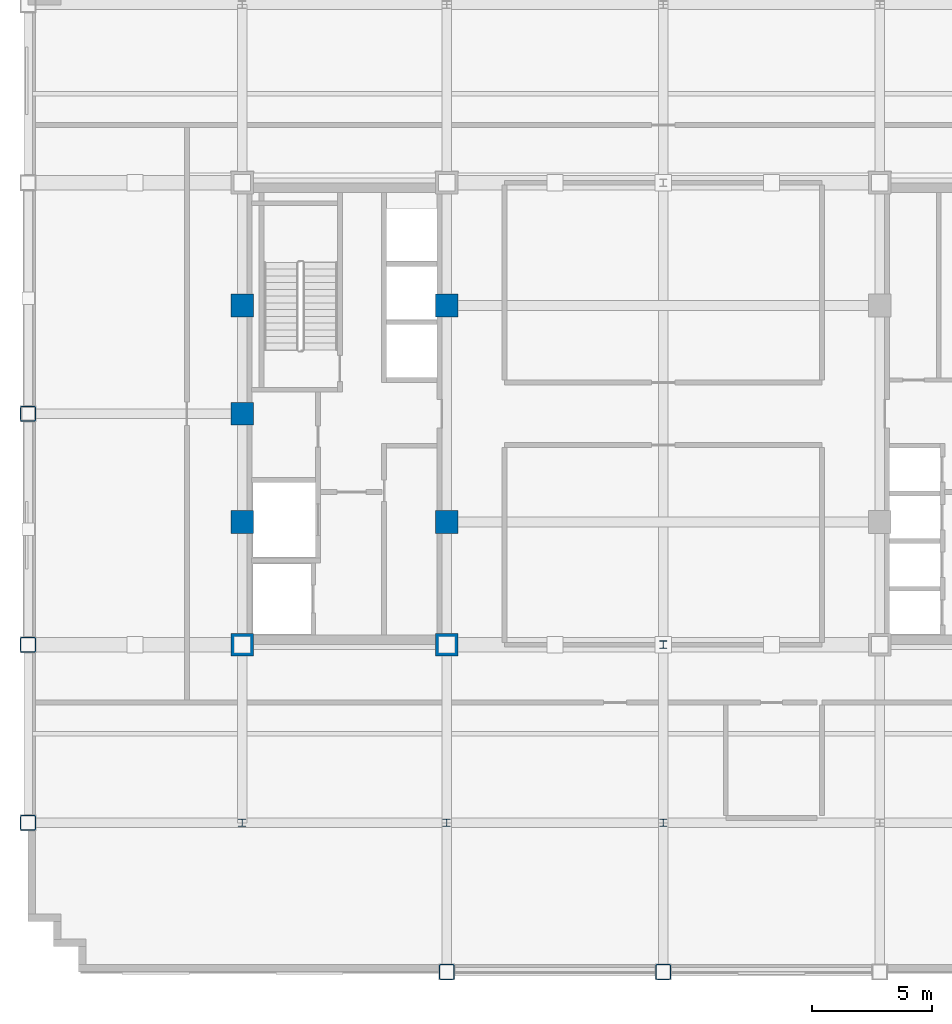
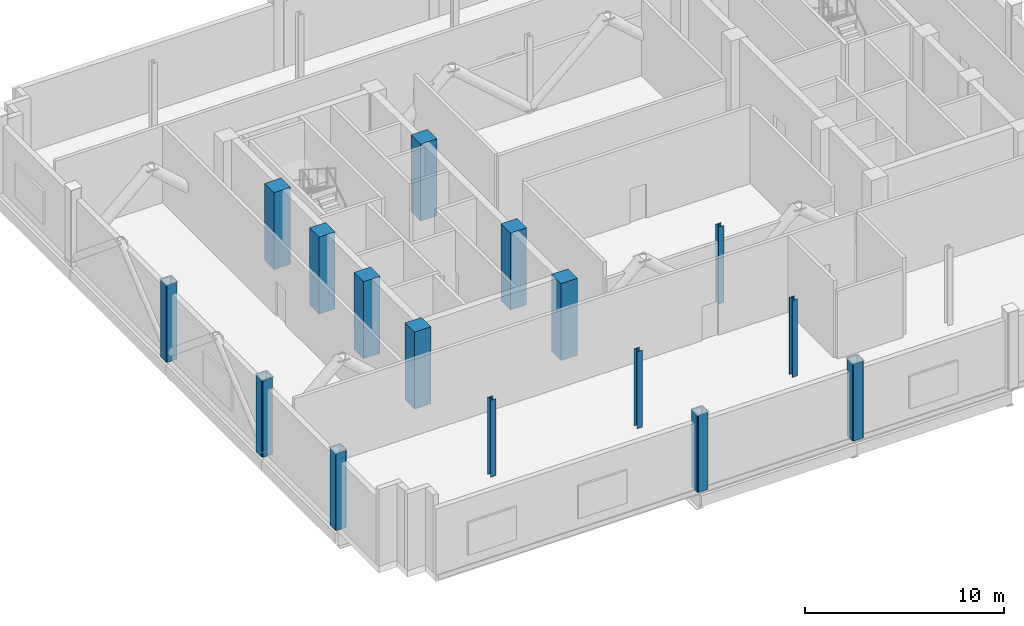
# One storey, part 1 of 13: 16 columns.
"""IFC4 building model written with IfcOpenShell, lengths in metres."""

from ifc_helpers import new_model, si_unit, direction, frame, origin, origin_2d, place, context, subcontext, project, spatial, rectangle, hollow_rectangle, i_section, extrude, material, material_profile, profile_set, type_object, element, save


model = new_model("IFC4")

# Units and contexts
model_context = context("Model", 3, precision=1e-05, world=origin(), true_north=direction((0.0, 1.0)))
body_context = subcontext(model_context, "Body", "Model", "MODEL_VIEW")
ifc_project = project(units=[si_unit("LENGTHUNIT", "METRE"), si_unit("AREAUNIT", "SQUARE_METRE"), si_unit("VOLUMEUNIT", "CUBIC_METRE"), si_unit("PLANEANGLEUNIT", "RADIAN"), si_unit("MASSUNIT", "GRAM", prefix="KILO")], contexts=[model_context])

# Site, building, storey
site_placement = place(None, origin())
site = spatial("IfcSite", under=ifc_project, at=site_placement, CompositionType="ELEMENT")
building_placement = place(site_placement, origin())
building = spatial("IfcBuilding", under=site, at=building_placement, Name="Nuvemarco Arch Tower", CompositionType="ELEMENT")
storey_placement = place(building_placement, frame((0.0, 0.0, 185.89990234375)))
storey = spatial("IfcBuildingStorey", under=building, at=storey_placement, Name="L49", CompositionType="ELEMENT", Elevation=185.89990234375)

# Columns
ifc_material_1 = material(Name="Concrete C50/60", Category="concrete")
ifc_material_profile_1 = material_profile(ifc_material_1, rectangle(XDim=0.949951171875, YDim=0.949951171875, at=origin_2d()), Name="RC-COL-950x950")
ifc_profile_set_1 = profile_set([ifc_material_profile_1], Name="Concrete C50/60")
column_type_1 = type_object("IfcColumnType", Name="COL-CORE-950", PredefinedType="COLUMN", material=ifc_profile_set_1)
for number, where, z_axis, x_axis, name in (
    (1, (-17.5, -9.60009765625, 0.0), (0.0, 0.0, 1.0), (1.0, 0.0, 0.0), "L49 column CC_-17.5_-9.6"),
    (2, (-17.5, -4.5, 0.0), (0.0, 0.0, 1.0), (1.0, 0.0, 0.0), "L49 column CC_-17.5_-4.5"),
    (3, (-17.5, 4.5, 0.0), (0.0, 0.0, 1.0), (1.0, 0.0, 0.0), "L49 column CC_-17.5_+4.5"),
    (4, (-9.0, -9.60009765625, 0.0), (0.0, 0.0, 1.0), (1.0, 0.0, 0.0), "L49 column CC_-9.0_-9.6"),
    (5, (-9.0, -4.5, 0.0), (0.0, 0.0, 1.0), (1.0, 0.0, 0.0), "L49 column CC_-9.0_-4.5"),
    (6, (-9.0, 4.5, 0.0), (0.0, 0.0, 1.0), (1.0, 0.0, 0.0), "L49 column CC_-9.0_+4.5"),
    (7, (-17.5, 0.0, 0.0), (0.0, 0.0, 1.0), (1.0, 0.0, 0.0), "L49 column CC_-17.5_+0.0"),
):
    element("IfcColumn", number, at=place(storey_placement, frame(where, z_axis=z_axis, x_axis=x_axis)), inside=storey, type_object=column_type_1, Name=name, PredefinedType="COLUMN", context=body_context, shape_type="SweptSolid", body=[
        extrude(rectangle(XDim=0.949951171875, YDim=0.949951171875, at=origin_2d()), origin(), (0.0, 0.0, 1.0), 4.72021484375),
    ])
ifc_material_2 = material(Name="Steel S355", Category="steel")
ifc_material_profile_2 = material_profile(ifc_material_2, hollow_rectangle(XDim=0.64990234375, YDim=0.64990234375, WallThickness=0.0400390625, InnerFilletRadius=0.0400390625, OuterFilletRadius=0.080078125, at=origin_2d()), Name="SHS650x650x40")
ifc_profile_set_2 = profile_set([ifc_material_profile_2], Name="Steel S355")
column_type_2 = type_object("IfcColumnType", Name="COL-EXO-650", PredefinedType="COLUMN", material=ifc_profile_set_2)
for number, where, z_axis, x_axis, name in (
    (8, (-26.39990234375, -17.0, 0.0), (0.0, 0.0, 1.0), (1.0, 0.0, 0.0), "L49 column CX_-26.4_-17.0"),
    (9, (-26.39990234375, -9.60009765625, 0.0), (0.0, 0.0, 1.0), (1.0, 0.0, 0.0), "L49 column CX_-26.4_-9.6"),
    (10, (-26.39990234375, 0.0, 0.0), (0.0, 0.0, 1.0), (1.0, 0.0, 0.0), "L49 column CX_-26.4_+0.0"),
    (11, (-9.0, -23.199951171875, 0.0), (0.0, 0.0, 1.0), (1.0, 0.0, 0.0), "L49 column CY_-9.0_-23.2"),
    (12, (0.0, -23.199951171875, 0.0), (0.0, 0.0, 1.0), (1.0, 0.0, 0.0), "L49 column CY_+0.0_-23.2"),
):
    element("IfcColumn", number, at=place(storey_placement, frame(where, z_axis=z_axis, x_axis=x_axis)), inside=storey, type_object=column_type_2, Name=name, PredefinedType="COLUMN", context=body_context, shape_type="SweptSolid", body=[
        extrude(hollow_rectangle(XDim=0.64990234375, YDim=0.64990234375, WallThickness=0.0400390625, InnerFilletRadius=0.0400390625, OuterFilletRadius=0.080078125, at=origin_2d()), origin(), (0.0, 0.0, 1.0), 4.72021484375),
    ])
ifc_material_profile_3 = material_profile(ifc_material_2, i_section(OverallWidth=0.31005859375, OverallDepth=0.31005859375, WebThickness=0.015380859375, FlangeThickness=0.015380859375, FilletRadius=0.014892578125, at=origin_2d()), Name="HP310x110")
ifc_profile_set_3 = profile_set([ifc_material_profile_3], Name="Steel S355")
column_type_3 = type_object("IfcColumnType", Name="COL-STL-HP310", PredefinedType="COLUMN", material=ifc_profile_set_3)
for number, where, z_axis, x_axis, name in (
    (13, (0.0, -17.0, 0.0), (0.0, 0.0, 1.0), (1.0, 0.0, 0.0), "L49 column CI_+0.0_-17.0"),
    (14, (0.0, -9.60009765625, 0.0), (0.0, 0.0, 1.0), (1.0, 0.0, 0.0), "L49 column CI_+0.0_-9.6"),
    (15, (-17.5, -17.0, 0.0), (0.0, 0.0, 1.0), (1.0, 0.0, 0.0), "L49 column CI_-17.5_-17.0"),
    (16, (-9.0, -17.0, 0.0), (0.0, 0.0, 1.0), (1.0, 0.0, 0.0), "L49 column CI_-9.0_-17.0"),
):
    element("IfcColumn", number, at=place(storey_placement, frame(where, z_axis=z_axis, x_axis=x_axis)), inside=storey, type_object=column_type_3, Name=name, PredefinedType="COLUMN", context=body_context, shape_type="SweptSolid", body=[
        extrude(i_section(OverallWidth=0.31005859375, OverallDepth=0.31005859375, WebThickness=0.015380859375, FlangeThickness=0.015380859375, FilletRadius=0.014892578125, at=origin_2d()), origin(), (0.0, 0.0, 1.0), 4.72021484375),
    ])

save(model, "model.ifc")
